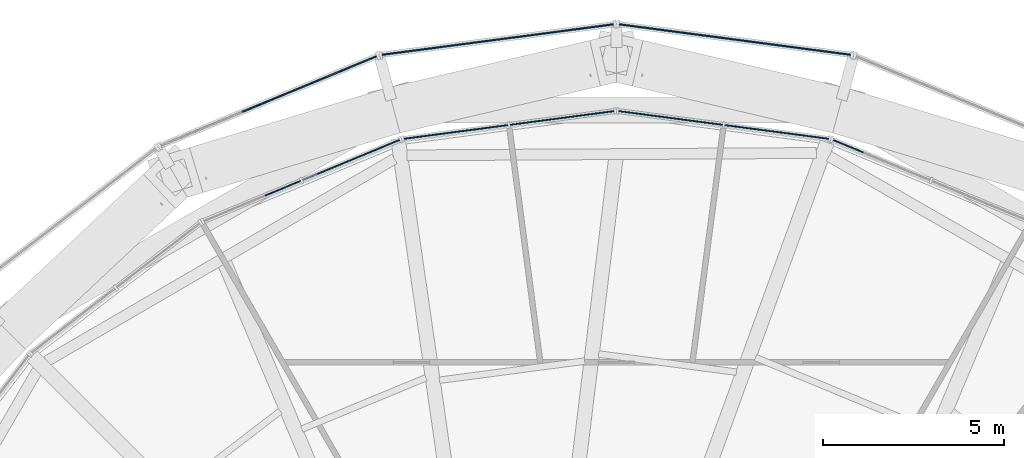
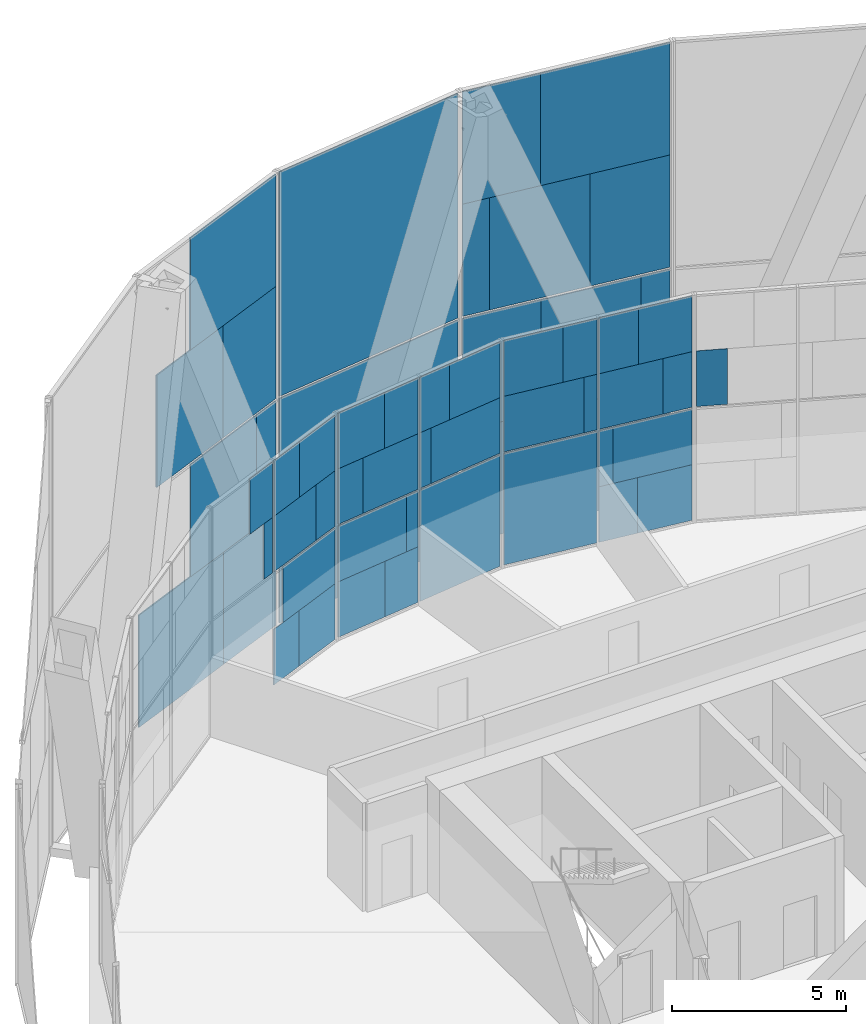
# One storey, part 17 of 22: 55 plates, 7 elements without a shape of their own.
"""IFC4 building model written with IfcOpenShell, lengths in metres."""

from ifc_helpers import new_model, si_unit, direction, frame, origin, origin_2d, place, context, subcontext, project, spatial, rectangle, extrude, material, layer, layer_set, type_object, element, aggregate, save


model = new_model("IFC4")

# Units and contexts
model_context = context("Model", 3, precision=1e-05, world=origin(), true_north=direction((0.0, 1.0)))
body_context = subcontext(model_context, "Body", "Model", "MODEL_VIEW")
ifc_project = project(units=[si_unit("LENGTHUNIT", "METRE"), si_unit("AREAUNIT", "SQUARE_METRE"), si_unit("VOLUMEUNIT", "CUBIC_METRE"), si_unit("PLANEANGLEUNIT", "RADIAN"), si_unit("MASSUNIT", "GRAM", prefix="KILO")], contexts=[model_context])

# Site, building, storey
site_placement = place(None, origin())
site = spatial("IfcSite", under=ifc_project, at=site_placement, CompositionType="ELEMENT")
building_placement = place(site_placement, origin())
building = spatial("IfcBuilding", under=site, at=building_placement, Name="Golbaran Civic Tower", CompositionType="ELEMENT")
storey_placement = place(building_placement, frame((0.0, 0.0, 37.0)))
storey = spatial("IfcBuildingStorey", under=building, at=storey_placement, Name="L08", CompositionType="ELEMENT", Elevation=37.0)

# Curtain wall, plate
ifc_material_1 = material(Name="Aluminium and glass", Category="aluminium")
curtain_wall_type_1 = type_object("IfcCurtainWallType", Name="INNER SKIN CURTAIN WALL", PredefinedType="NOTDEFINED", material=ifc_material_1)
curtain_wall_1_placement = place(storey_placement, origin())
curtain_wall_1 = element("IfcCurtainWall", 1, at=curtain_wall_1_placement, inside=storey, type_object=curtain_wall_type_1, Name="Inner skin L08 facet 5 CW1", ObjectType="INNER SKIN", PredefinedType="USERDEFINED")
ifc_material_2 = material(Name="Clear insulating glass", Category="glass")
ifc_layer_1 = layer(ifc_material_2, 0.031982421875, Name="Clear insulating glass")
ifc_layer_set_1 = layer_set([ifc_layer_1], Name="Clear insulating glass")
plate_type_1 = type_object("IfcPlateType", Name="INNER SKIN CURTAIN WALL GLAZED PANEL", PredefinedType="CURTAIN_PANEL", material=ifc_layer_set_1)
plate_1_placement = place(storey_placement, frame((6.418212890625, 21.981689453125, 4.032470703125), z_axis=(0.0, 0.0, 1.0), x_axis=(-0.923879532511, 0.382683432365, 0.0)))
plate_1 = element("IfcPlate", 2, at=plate_1_placement, type_object=plate_type_1, Name="CW1 panel 2.2 part 2", PredefinedType="CURTAIN_PANEL", context=body_context, shape_type="SweptSolid", body=[
    extrude(rectangle(XDim=0.8994140625, YDim=0.031982421875, at=origin_2d()), origin(), (0.0, 0.0, 1.0), 1.951171875),
])
aggregate(curtain_wall_1, [plate_1])

# Curtain wall, plates
curtain_wall_2_placement = place(storey_placement, origin())
curtain_wall_2 = element("IfcCurtainWall", 3, at=curtain_wall_2_placement, inside=storey, type_object=curtain_wall_type_1, Name="Inner skin L08 facet 6 CW1", ObjectType="INNER SKIN", PredefinedType="USERDEFINED")
plate_2_placement = place(storey_placement, frame((3.59814453125, 22.4873046875, 0.06494140625), z_axis=(0.0, 0.0, 1.0), x_axis=(-0.991444861365, 0.130526192289, 0.0)))
plate_2 = element("IfcPlate", 4, at=plate_2_placement, type_object=plate_type_1, Name="CW1 panel 1.1 part 2", PredefinedType="CURTAIN_PANEL", context=body_context, shape_type="SweptSolid", body=[
    extrude(rectangle(XDim=1.199462890625, YDim=0.031982421875, at=origin_2d()), origin(), (0.0, 0.0, 1.0), 1.951171875),
])
plate_3_placement = place(storey_placement, frame((3.218017578125, 22.537353515625, 2.016357421875), z_axis=(0.0, 0.0, 1.0), x_axis=(-0.991444861365, 0.130526192289, 0.0)))
plate_3 = element("IfcPlate", 5, at=plate_3_placement, type_object=plate_type_1, Name="CW1 panel 1.1 part 4", PredefinedType="CURTAIN_PANEL", context=body_context, shape_type="SweptSolid", body=[
    extrude(rectangle(XDim=0.4326171875, YDim=0.031982421875, at=origin_2d()), origin(), (0.0, 0.0, 1.0), 1.951171875),
])
plate_4_placement = place(storey_placement, frame((5.43212890625, 22.245849609375, 4.032470703125), z_axis=(0.0, 0.0, 1.0), x_axis=(-0.991444861365, 0.130526192289, 0.0)))
plate_4 = element("IfcPlate", 6, at=plate_4_placement, type_object=plate_type_1, Name="CW1 panel 1.2 part 1", PredefinedType="CURTAIN_PANEL", context=body_context, shape_type="SweptSolid", body=[
    extrude(rectangle(XDim=0.89990234375, YDim=0.031982421875, at=origin_2d()), origin(), (0.0, 0.0, 1.0), 1.951171875),
])
plate_5_placement = place(storey_placement, frame((5.0478515625, 22.29638671875, 5.98388671875), z_axis=(0.0, 0.0, 1.0), x_axis=(-0.991444861365, 0.130526192289, 0.0)))
plate_5 = element("IfcPlate", 7, at=plate_5_placement, type_object=plate_type_1, Name="CW1 panel 1.2 part 3", PredefinedType="CURTAIN_PANEL", context=body_context, shape_type="SweptSolid", body=[
    extrude(rectangle(XDim=1.675048828125, YDim=0.031982421875, at=origin_2d()), origin(), (0.0, 0.0, 1.0), 1.951171875),
])
plate_6_placement = place(storey_placement, frame((1.501708984375, 22.76318359375, 0.06494140625), z_axis=(0.0, 0.0, 1.0), x_axis=(-0.991444861365, 0.130526192289, 0.0)))
plate_6 = element("IfcPlate", 8, at=plate_6_placement, type_object=plate_type_1, Name="CW1 panel 2.1", PredefinedType="CURTAIN_PANEL", context=body_context, shape_type="SweptSolid", body=[
    extrude(rectangle(XDim=2.8994140625, YDim=0.031982421875, at=origin_2d()), origin(), (0.0, 0.0, 1.0), 3.902587890625),
])
plate_7_placement = place(storey_placement, frame((1.302978515625, 22.78955078125, 4.032470703125), z_axis=(0.0, 0.0, 1.0), x_axis=(-0.991444861365, 0.130526192289, 0.0)))
plate_7 = element("IfcPlate", 9, at=plate_7_placement, type_object=plate_type_1, Name="CW1 panel 2.2 part 2", PredefinedType="CURTAIN_PANEL", context=body_context, shape_type="SweptSolid", body=[
    extrude(rectangle(XDim=2.49853515625, YDim=0.031982421875, at=origin_2d()), origin(), (0.0, 0.0, 1.0), 1.951171875),
])
plate_8_placement = place(storey_placement, frame((0.974853515625, 22.832763671875, 5.98388671875), z_axis=(0.0, 0.0, 1.0), x_axis=(-0.991444861365, 0.130526192289, 0.0)))
plate_8 = element("IfcPlate", 10, at=plate_8_placement, type_object=plate_type_1, Name="CW1 panel 2.2 part 4", PredefinedType="CURTAIN_PANEL", context=body_context, shape_type="SweptSolid", body=[
    extrude(rectangle(XDim=1.83642578125, YDim=0.031982421875, at=origin_2d()), origin(), (0.0, 0.0, 1.0), 1.951171875),
])

curtain_wall_3_placement = place(storey_placement, origin())
curtain_wall_3 = element("IfcCurtainWall", 11, at=curtain_wall_3_placement, inside=storey, type_object=curtain_wall_type_1, Name="Inner skin L08 facet 7 CW1", ObjectType="INNER SKIN", PredefinedType="USERDEFINED")
plate_9_placement = place(storey_placement, frame((-1.501708984375, 22.76318359375, 0.06494140625), z_axis=(0.0, 0.0, 1.0), x_axis=(-0.991444861365, -0.130526192289, 0.0)))
plate_9 = element("IfcPlate", 12, at=plate_9_placement, type_object=plate_type_1, Name="CW1 panel 1.1", PredefinedType="CURTAIN_PANEL", context=body_context, shape_type="SweptSolid", body=[
    extrude(rectangle(XDim=2.8994140625, YDim=0.031982421875, at=origin_2d()), origin(), (0.0, 0.0, 1.0), 3.902587890625),
])
plate_10_placement = place(storey_placement, frame((-1.302734375, 22.78955078125, 4.032470703125), z_axis=(0.0, 0.0, 1.0), x_axis=(-0.991444861365, -0.130526192289, 0.0)))
plate_10 = element("IfcPlate", 13, at=plate_10_placement, type_object=plate_type_1, Name="CW1 panel 1.2 part 1", PredefinedType="CURTAIN_PANEL", context=body_context, shape_type="SweptSolid", body=[
    extrude(rectangle(XDim=2.498046875, YDim=0.031982421875, at=origin_2d()), origin(), (0.0, 0.0, 1.0), 1.951171875),
])
plate_11_placement = place(storey_placement, frame((-0.97509765625, 22.83251953125, 5.98388671875), z_axis=(0.0, 0.0, 1.0), x_axis=(-0.991444861365, -0.130526192289, 0.0)))
plate_11 = element("IfcPlate", 14, at=plate_11_placement, type_object=plate_type_1, Name="CW1 panel 1.2 part 3", PredefinedType="CURTAIN_PANEL", context=body_context, shape_type="SweptSolid", body=[
    extrude(rectangle(XDim=1.8369140625, YDim=0.031982421875, at=origin_2d()), origin(), (0.0, 0.0, 1.0), 1.951171875),
])
plate_12_placement = place(storey_placement, frame((-3.598388671875, 22.4873046875, 0.06494140625), z_axis=(0.0, 0.0, 1.0), x_axis=(-0.991444861365, -0.130526192289, 0.0)))
plate_12 = element("IfcPlate", 15, at=plate_12_placement, type_object=plate_type_1, Name="CW1 panel 2.1 part 1", PredefinedType="CURTAIN_PANEL", context=body_context, shape_type="SweptSolid", body=[
    extrude(rectangle(XDim=1.199951171875, YDim=0.031982421875, at=origin_2d()), origin(), (0.0, 0.0, 1.0), 1.951171875),
])
plate_13_placement = place(storey_placement, frame((-3.2177734375, 22.537353515625, 2.016357421875), z_axis=(0.0, 0.0, 1.0), x_axis=(-0.991444861365, -0.130526192289, 0.0)))
plate_13 = element("IfcPlate", 16, at=plate_13_placement, type_object=plate_type_1, Name="CW1 panel 2.1 part 3", PredefinedType="CURTAIN_PANEL", context=body_context, shape_type="SweptSolid", body=[
    extrude(rectangle(XDim=0.431884765625, YDim=0.031982421875, at=origin_2d()), origin(), (0.0, 0.0, 1.0), 1.951171875),
])
plate_14_placement = place(storey_placement, frame((-5.432373046875, 22.245849609375, 4.032470703125), z_axis=(0.0, 0.0, 1.0), x_axis=(-0.991444861365, -0.130526192289, 0.0)))
plate_14 = element("IfcPlate", 17, at=plate_14_placement, type_object=plate_type_1, Name="CW1 panel 2.2 part 2", PredefinedType="CURTAIN_PANEL", context=body_context, shape_type="SweptSolid", body=[
    extrude(rectangle(XDim=0.8994140625, YDim=0.031982421875, at=origin_2d()), origin(), (0.0, 0.0, 1.0), 1.951171875),
])
plate_15_placement = place(storey_placement, frame((-5.048095703125, 22.29638671875, 5.98388671875), z_axis=(0.0, 0.0, 1.0), x_axis=(-0.991444861365, -0.130526192289, 0.0)))
plate_15 = element("IfcPlate", 18, at=plate_15_placement, type_object=plate_type_1, Name="CW1 panel 2.2 part 4", PredefinedType="CURTAIN_PANEL", context=body_context, shape_type="SweptSolid", body=[
    extrude(rectangle(XDim=1.674560546875, YDim=0.031982421875, at=origin_2d()), origin(), (0.0, 0.0, 1.0), 1.951171875),
])

curtain_wall_4_placement = place(storey_placement, origin())
curtain_wall_4 = element("IfcCurtainWall", 19, at=curtain_wall_4_placement, inside=storey, type_object=curtain_wall_type_1, Name="Inner skin L08 facet 8 CW1", ObjectType="INNER SKIN", PredefinedType="USERDEFINED")
plate_16_placement = place(storey_placement, frame((-8.12744140625, 21.273681640625, 0.06494140625), z_axis=(0.0, 0.0, 1.0), x_axis=(-0.923879532511, -0.382683432365, 0.0)))
plate_16 = element("IfcPlate", 20, at=plate_16_placement, type_object=plate_type_1, Name="CW1 panel 1.1 part 2", PredefinedType="CURTAIN_PANEL", context=body_context, shape_type="SweptSolid", body=[
    extrude(rectangle(XDim=1.199462890625, YDim=0.031982421875, at=origin_2d()), origin(), (0.0, 0.0, 1.0), 1.951171875),
])
plate_17_placement = place(storey_placement, frame((-6.41845703125, 21.9814453125, 4.032470703125), z_axis=(0.0, 0.0, 1.0), x_axis=(-0.923879532511, -0.382683432365, 0.0)))
plate_17 = element("IfcPlate", 21, at=plate_17_placement, type_object=plate_type_1, Name="CW1 panel 1.2 part 1", PredefinedType="CURTAIN_PANEL", context=body_context, shape_type="SweptSolid", body=[
    extrude(rectangle(XDim=0.89990234375, YDim=0.031982421875, at=origin_2d()), origin(), (0.0, 0.0, 1.0), 1.951171875),
])
plate_18_placement = place(storey_placement, frame((-6.776611328125, 21.833251953125, 5.98388671875), z_axis=(0.0, 0.0, 1.0), x_axis=(-0.923879532511, -0.382683432365, 0.0)))
plate_18 = element("IfcPlate", 22, at=plate_18_placement, type_object=plate_type_1, Name="CW1 panel 1.2 part 3", PredefinedType="CURTAIN_PANEL", context=body_context, shape_type="SweptSolid", body=[
    extrude(rectangle(XDim=1.675048828125, YDim=0.031982421875, at=origin_2d()), origin(), (0.0, 0.0, 1.0), 1.951171875),
])

# Plate
ifc_material_3 = material(Name="Aluminium faced opaque infill panel", Category="aluminium")
ifc_layer_2 = layer(ifc_material_3, 0.031982421875, Name="Aluminium faced opaque infill panel")
ifc_layer_set_2 = layer_set([ifc_layer_2], Name="Aluminium faced opaque infill panel")
plate_type_2 = type_object("IfcPlateType", Name="INNER SKIN CURTAIN WALL OPAQUE INFILL PANEL", PredefinedType="CURTAIN_PANEL", material=ifc_layer_set_2)
plate_19_placement = place(storey_placement, frame((5.03564453125, 22.298095703125, 0.06494140625), z_axis=(0.0, 0.0, 1.0), x_axis=(-0.991444861365, 0.130526192289, 0.0)))
plate_19 = element("IfcPlate", 23, at=plate_19_placement, type_object=plate_type_2, Name="CW1 infill panel 1.1 part 1", PredefinedType="CURTAIN_PANEL", context=body_context, shape_type="SweptSolid", body=[
    extrude(rectangle(XDim=1.699951171875, YDim=0.031982421875, at=origin_2d()), origin(), (0.0, 0.0, 1.0), 1.951171875),
])

plate_20_placement = place(storey_placement, frame((4.6552734375, 22.34814453125, 2.016357421875), z_axis=(0.0, 0.0, 1.0), x_axis=(-0.991444861365, 0.130526192289, 0.0)))
plate_20 = element("IfcPlate", 24, at=plate_20_placement, type_object=plate_type_2, Name="CW1 infill panel 1.1 part 3", PredefinedType="CURTAIN_PANEL", context=body_context, shape_type="SweptSolid", body=[
    extrude(rectangle(XDim=2.467041015625, YDim=0.031982421875, at=origin_2d()), origin(), (0.0, 0.0, 1.0), 1.951171875),
])

plate_21_placement = place(storey_placement, frame((3.994873046875, 22.43505859375, 4.032470703125), z_axis=(0.0, 0.0, 1.0), x_axis=(-0.991444861365, 0.130526192289, 0.0)))
plate_21 = element("IfcPlate", 25, at=plate_21_placement, type_object=plate_type_2, Name="CW1 infill panel 1.2 part 2", PredefinedType="CURTAIN_PANEL", context=body_context, shape_type="SweptSolid", body=[
    extrude(rectangle(XDim=1.99951171875, YDim=0.031982421875, at=origin_2d()), origin(), (0.0, 0.0, 1.0), 1.951171875),
])

plate_22_placement = place(storey_placement, frame((3.610595703125, 22.485595703125, 5.98388671875), z_axis=(0.0, 0.0, 1.0), x_axis=(-0.991444861365, 0.130526192289, 0.0)))
plate_22 = element("IfcPlate", 26, at=plate_22_placement, type_object=plate_type_2, Name="CW1 infill panel 1.2 part 4", PredefinedType="CURTAIN_PANEL", context=body_context, shape_type="SweptSolid", body=[
    extrude(rectangle(XDim=1.224609375, YDim=0.031982421875, at=origin_2d()), origin(), (0.0, 0.0, 1.0), 1.951171875),
])

plate_23_placement = place(storey_placement, frame((2.740478515625, 22.600341796875, 4.032470703125), z_axis=(0.0, 0.0, 1.0), x_axis=(-0.991444861365, 0.130526192289, 0.0)))
plate_23 = element("IfcPlate", 27, at=plate_23_placement, type_object=plate_type_2, Name="CW1 infill panel 2.2 part 1", PredefinedType="CURTAIN_PANEL", context=body_context, shape_type="SweptSolid", body=[
    extrude(rectangle(XDim=0.40087890625, YDim=0.031982421875, at=origin_2d()), origin(), (0.0, 0.0, 1.0), 1.951171875),
])

plate_24_placement = place(storey_placement, frame((2.412109375, 22.643310546875, 5.98388671875), z_axis=(0.0, 0.0, 1.0), x_axis=(-0.991444861365, 0.130526192289, 0.0)))
plate_24 = element("IfcPlate", 28, at=plate_24_placement, type_object=plate_type_2, Name="CW1 infill panel 2.2 part 3", PredefinedType="CURTAIN_PANEL", context=body_context, shape_type="SweptSolid", body=[
    extrude(rectangle(XDim=1.06298828125, YDim=0.031982421875, at=origin_2d()), origin(), (0.0, 0.0, 1.0), 1.951171875),
])

aggregate(curtain_wall_2, [plate_19, plate_2, plate_20, plate_3, plate_4, plate_21, plate_5, plate_22, plate_6, plate_23, plate_7, plate_24, plate_8])

plate_25_placement = place(storey_placement, frame((-2.739990234375, 22.600341796875, 4.032470703125), z_axis=(0.0, 0.0, 1.0), x_axis=(-0.991444861365, -0.130526192289, 0.0)))
plate_25 = element("IfcPlate", 29, at=plate_25_placement, type_object=plate_type_2, Name="CW1 infill panel 1.2 part 2", PredefinedType="CURTAIN_PANEL", context=body_context, shape_type="SweptSolid", body=[
    extrude(rectangle(XDim=0.401611328125, YDim=0.031982421875, at=origin_2d()), origin(), (0.0, 0.0, 1.0), 1.951171875),
])

plate_26_placement = place(storey_placement, frame((-2.412353515625, 22.643310546875, 5.98388671875), z_axis=(0.0, 0.0, 1.0), x_axis=(-0.991444861365, -0.130526192289, 0.0)))
plate_26 = element("IfcPlate", 30, at=plate_26_placement, type_object=plate_type_2, Name="CW1 infill panel 1.2 part 4", PredefinedType="CURTAIN_PANEL", context=body_context, shape_type="SweptSolid", body=[
    extrude(rectangle(XDim=1.0625, YDim=0.031982421875, at=origin_2d()), origin(), (0.0, 0.0, 1.0), 1.951171875),
])

plate_27_placement = place(storey_placement, frame((-5.035888671875, 22.298095703125, 0.06494140625), z_axis=(0.0, 0.0, 1.0), x_axis=(-0.991444861365, -0.130526192289, 0.0)))
plate_27 = element("IfcPlate", 31, at=plate_27_placement, type_object=plate_type_2, Name="CW1 infill panel 2.1 part 2", PredefinedType="CURTAIN_PANEL", context=body_context, shape_type="SweptSolid", body=[
    extrude(rectangle(XDim=1.699462890625, YDim=0.031982421875, at=origin_2d()), origin(), (0.0, 0.0, 1.0), 1.951171875),
])

plate_28_placement = place(storey_placement, frame((-4.655029296875, 22.34814453125, 2.016357421875), z_axis=(0.0, 0.0, 1.0), x_axis=(-0.991444861365, -0.130526192289, 0.0)))
plate_28 = element("IfcPlate", 32, at=plate_28_placement, type_object=plate_type_2, Name="CW1 infill panel 2.1 part 4", PredefinedType="CURTAIN_PANEL", context=body_context, shape_type="SweptSolid", body=[
    extrude(rectangle(XDim=2.467529296875, YDim=0.031982421875, at=origin_2d()), origin(), (0.0, 0.0, 1.0), 1.951171875),
])

plate_29_placement = place(storey_placement, frame((-3.9951171875, 22.43505859375, 4.032470703125), z_axis=(0.0, 0.0, 1.0), x_axis=(-0.991444861365, -0.130526192289, 0.0)))
plate_29 = element("IfcPlate", 33, at=plate_29_placement, type_object=plate_type_2, Name="CW1 infill panel 2.2 part 1", PredefinedType="CURTAIN_PANEL", context=body_context, shape_type="SweptSolid", body=[
    extrude(rectangle(XDim=2.0, YDim=0.031982421875, at=origin_2d()), origin(), (0.0, 0.0, 1.0), 1.951171875),
])

plate_30_placement = place(storey_placement, frame((-3.61083984375, 22.485595703125, 5.98388671875), z_axis=(0.0, 0.0, 1.0), x_axis=(-0.991444861365, -0.130526192289, 0.0)))
plate_30 = element("IfcPlate", 34, at=plate_30_placement, type_object=plate_type_2, Name="CW1 infill panel 2.2 part 3", PredefinedType="CURTAIN_PANEL", context=body_context, shape_type="SweptSolid", body=[
    extrude(rectangle(XDim=1.22509765625, YDim=0.031982421875, at=origin_2d()), origin(), (0.0, 0.0, 1.0), 1.951171875),
])

aggregate(curtain_wall_3, [plate_9, plate_10, plate_25, plate_11, plate_26, plate_12, plate_27, plate_13, plate_28, plate_29, plate_14, plate_30, plate_15])

plate_31_placement = place(storey_placement, frame((-6.7880859375, 21.828369140625, 0.06494140625), z_axis=(0.0, 0.0, 1.0), x_axis=(-0.923879532511, -0.382683432365, 0.0)))
plate_31 = element("IfcPlate", 35, at=plate_31_placement, type_object=plate_type_2, Name="CW1 infill panel 1.1 part 1", PredefinedType="CURTAIN_PANEL", context=body_context, shape_type="SweptSolid", body=[
    extrude(rectangle(XDim=1.699951171875, YDim=0.031982421875, at=origin_2d()), origin(), (0.0, 0.0, 1.0), 1.951171875),
])

plate_32_placement = place(storey_placement, frame((-7.142333984375, 21.681640625, 2.016357421875), z_axis=(0.0, 0.0, 1.0), x_axis=(-0.923879532511, -0.382683432365, 0.0)))
plate_32 = element("IfcPlate", 36, at=plate_32_placement, type_object=plate_type_2, Name="CW1 infill panel 1.1 part 3", PredefinedType="CURTAIN_PANEL", context=body_context, shape_type="SweptSolid", body=[
    extrude(rectangle(XDim=2.467041015625, YDim=0.031982421875, at=origin_2d()), origin(), (0.0, 0.0, 1.0), 1.951171875),
])

plate_33_placement = place(storey_placement, frame((-7.758056640625, 21.4267578125, 4.032470703125), z_axis=(0.0, 0.0, 1.0), x_axis=(-0.923879532511, -0.382683432365, 0.0)))
plate_33 = element("IfcPlate", 37, at=plate_33_placement, type_object=plate_type_2, Name="CW1 infill panel 1.2 part 2", PredefinedType="CURTAIN_PANEL", context=body_context, shape_type="SweptSolid", body=[
    extrude(rectangle(XDim=1.99951171875, YDim=0.031982421875, at=origin_2d()), origin(), (0.0, 0.0, 1.0), 1.951171875),
])

plate_34_placement = place(storey_placement, frame((-8.115966796875, 21.278564453125, 5.98388671875), z_axis=(0.0, 0.0, 1.0), x_axis=(-0.923879532511, -0.382683432365, 0.0)))
plate_34 = element("IfcPlate", 38, at=plate_34_placement, type_object=plate_type_2, Name="CW1 infill panel 1.2 part 4", PredefinedType="CURTAIN_PANEL", context=body_context, shape_type="SweptSolid", body=[
    extrude(rectangle(XDim=1.224609375, YDim=0.031982421875, at=origin_2d()), origin(), (0.0, 0.0, 1.0), 1.951171875),
])

plate_35_placement = place(storey_placement, frame((-8.927001953125, 20.942626953125, 4.032470703125), z_axis=(0.0, 0.0, 1.0), x_axis=(-0.923879532511, -0.382683432365, 0.0)))
plate_35 = element("IfcPlate", 39, at=plate_35_placement, type_object=plate_type_2, Name="CW1 infill panel 2.2 part 1", PredefinedType="CURTAIN_PANEL", context=body_context, shape_type="SweptSolid", body=[
    extrude(rectangle(XDim=0.40087890625, YDim=0.031982421875, at=origin_2d()), origin(), (0.0, 0.0, 1.0), 1.951171875),
])

plate_36_placement = place(storey_placement, frame((-9.232666015625, 20.81591796875, 5.98388671875), z_axis=(0.0, 0.0, 1.0), x_axis=(-0.923879532511, -0.382683432365, 0.0)))
plate_36 = element("IfcPlate", 40, at=plate_36_placement, type_object=plate_type_2, Name="CW1 infill panel 2.2 part 3", PredefinedType="CURTAIN_PANEL", context=body_context, shape_type="SweptSolid", body=[
    extrude(rectangle(XDim=1.06298828125, YDim=0.031982421875, at=origin_2d()), origin(), (0.0, 0.0, 1.0), 1.951171875),
])

aggregate(curtain_wall_4, [plate_31, plate_16, plate_32, plate_17, plate_33, plate_18, plate_34, plate_35, plate_36])

# Curtain wall, plates
curtain_wall_type_2 = type_object("IfcCurtainWallType", Name="OUTER SKIN TERRACOTTA SCREEN", PredefinedType="NOTDEFINED", material=ifc_material_1)
curtain_wall_5_placement = place(storey_placement, origin())
curtain_wall_5 = element("IfcCurtainWall", 41, at=curtain_wall_5_placement, inside=storey, type_object=curtain_wall_type_2, Name="Outer skin L08 facet 6 CW3", ObjectType="OUTER SKIN", PredefinedType="USERDEFINED")
ifc_material_4 = material(Name="Clear laminated glass", Category="glass")
ifc_layer_3 = layer(ifc_material_4, 0.0400390625, Name="Clear laminated glass")
ifc_layer_set_3 = layer_set([ifc_layer_3], Name="Clear laminated glass")
plate_type_3 = type_object("IfcPlateType", Name="OUTER SKIN CLEAR GLASS PANEL", PredefinedType="CURTAIN_PANEL", material=ifc_layer_set_3)
plate_37_placement = place(storey_placement, frame((2.063720703125, 25.09423828125, -0.6298828125), z_axis=(0.0, 0.0, 1.0), x_axis=(-0.991444861381, 0.130526192168, 0.0)))
plate_37 = element("IfcPlate", 42, at=plate_37_placement, type_object=plate_type_3, Name="CW3 panel 1.1 part 2", PredefinedType="CURTAIN_PANEL", context=body_context, shape_type="SweptSolid", body=[
    extrude(rectangle(XDim=4.0029296875, YDim=0.0400390625, at=origin_2d()), origin(), (0.0, 0.0, 1.0), 3.93994140625),
])
plate_38_placement = place(storey_placement, frame((6.036376953125, 24.5712890625, 3.31005859375), z_axis=(0.0, 0.0, 1.0), x_axis=(-0.991444861381, 0.130526192168, 0.0)))
plate_38 = element("IfcPlate", 43, at=plate_38_placement, type_object=plate_type_3, Name="CW3 panel 1.1 part 3", PredefinedType="CURTAIN_PANEL", context=body_context, shape_type="SweptSolid", body=[
    extrude(rectangle(XDim=0.906982421875, YDim=0.0400390625, at=origin_2d()), origin(), (0.0, 0.0, 1.0), 3.93994140625),
])
plate_39_placement = place(storey_placement, frame((1.288330078125, 25.1962890625, 3.31005859375), z_axis=(0.0, 0.0, 1.0), x_axis=(-0.991444861381, 0.130526192168, 0.0)))
plate_39 = element("IfcPlate", 44, at=plate_39_placement, type_object=plate_type_3, Name="CW3 panel 1.1 part 5", PredefinedType="CURTAIN_PANEL", context=body_context, shape_type="SweptSolid", body=[
    extrude(rectangle(XDim=2.43896484375, YDim=0.0400390625, at=origin_2d()), origin(), (0.0, 0.0, 1.0), 3.93994140625),
])
plate_40_placement = place(storey_placement, frame((5.25244140625, 24.674560546875, 7.330078125), z_axis=(0.0, 0.0, 1.0), x_axis=(-0.991444861381, 0.130526192168, 0.0)))
plate_40 = element("IfcPlate", 45, at=plate_40_placement, type_object=plate_type_3, Name="CW3 panel 1.2 part 1", PredefinedType="CURTAIN_PANEL", context=body_context, shape_type="SweptSolid", body=[
    extrude(rectangle(XDim=2.488037109375, YDim=0.0400390625, at=origin_2d()), origin(), (0.0, 0.0, 1.0), 3.93994140625),
])
plate_41_placement = place(storey_placement, frame((0.49658203125, 25.300537109375, 7.330078125), z_axis=(0.0, 0.0, 1.0), x_axis=(-0.991444861381, 0.130526192168, 0.0)))
plate_41 = element("IfcPlate", 46, at=plate_41_placement, type_object=plate_type_3, Name="CW3 panel 1.2 part 3", PredefinedType="CURTAIN_PANEL", context=body_context, shape_type="SweptSolid", body=[
    extrude(rectangle(XDim=0.841796875, YDim=0.0400390625, at=origin_2d()), origin(), (0.0, 0.0, 1.0), 3.93994140625),
])
plate_42_placement = place(storey_placement, frame((4.484619140625, 24.775634765625, 11.27001953125), z_axis=(0.0, 0.0, 1.0), x_axis=(-0.991444861381, 0.130526192168, 0.0)))
plate_42 = element("IfcPlate", 47, at=plate_42_placement, type_object=plate_type_3, Name="CW3 panel 1.2 part 4", PredefinedType="CURTAIN_PANEL", context=body_context, shape_type="SweptSolid", body=[
    extrude(rectangle(XDim=4.037109375, YDim=0.0400390625, at=origin_2d()), origin(), (0.0, 0.0, 1.0), 3.93994140625),
])

curtain_wall_6_placement = place(storey_placement, origin())
curtain_wall_6 = element("IfcCurtainWall", 48, at=curtain_wall_6_placement, inside=storey, type_object=curtain_wall_type_2, Name="Outer skin L08 facet 8 CW3", ObjectType="OUTER SKIN", PredefinedType="USERDEFINED")
plate_43_placement = place(storey_placement, frame((-10.760009765625, 22.76416015625, -0.6298828125), z_axis=(0.0, 0.0, 1.0), x_axis=(-0.923879532471, -0.382683432462, 0.0)))
plate_43 = element("IfcPlate", 49, at=plate_43_placement, type_object=plate_type_3, Name="CW3 panel 1.1 part 2", PredefinedType="CURTAIN_PANEL", context=body_context, shape_type="SweptSolid", body=[
    extrude(rectangle(XDim=4.0029296875, YDim=0.0400390625, at=origin_2d()), origin(), (0.0, 0.0, 1.0), 3.93994140625),
])
plate_44_placement = place(storey_placement, frame((-7.05810546875, 24.297607421875, 3.31005859375), z_axis=(0.0, 0.0, 1.0), x_axis=(-0.923879532471, -0.382683432462, 0.0)))
plate_44 = element("IfcPlate", 50, at=plate_44_placement, type_object=plate_type_3, Name="CW3 panel 1.1 part 3", PredefinedType="CURTAIN_PANEL", context=body_context, shape_type="SweptSolid", body=[
    extrude(rectangle(XDim=0.906982421875, YDim=0.0400390625, at=origin_2d()), origin(), (0.0, 0.0, 1.0), 3.93994140625),
])
plate_45_placement = place(storey_placement, frame((-7.788330078125, 23.9951171875, 7.330078125), z_axis=(0.0, 0.0, 1.0), x_axis=(-0.923879532471, -0.382683432462, 0.0)))
plate_45 = element("IfcPlate", 51, at=plate_45_placement, type_object=plate_type_3, Name="CW3 panel 1.2 part 1", PredefinedType="CURTAIN_PANEL", context=body_context, shape_type="SweptSolid", body=[
    extrude(rectangle(XDim=2.488037109375, YDim=0.0400390625, at=origin_2d()), origin(), (0.0, 0.0, 1.0), 3.93994140625),
])
plate_46_placement = place(storey_placement, frame((-8.50390625, 23.69873046875, 11.27001953125), z_axis=(0.0, 0.0, 1.0), x_axis=(-0.923879532471, -0.382683432462, 0.0)))
plate_46 = element("IfcPlate", 52, at=plate_46_placement, type_object=plate_type_3, Name="CW3 panel 1.2 part 4", PredefinedType="CURTAIN_PANEL", context=body_context, shape_type="SweptSolid", body=[
    extrude(rectangle(XDim=4.037109375, YDim=0.0400390625, at=origin_2d()), origin(), (0.0, 0.0, 1.0), 3.93994140625),
])

# Plate
ifc_material_5 = material(Name="Terracotta baguette screen", Category="masonry")
ifc_layer_4 = layer(ifc_material_5, 0.0400390625, Name="Terracotta baguette screen")
ifc_layer_set_4 = layer_set([ifc_layer_4], Name="Terracotta baguette screen")
plate_type_4 = type_object("IfcPlateType", Name="OUTER SKIN TERRACOTTA INFILL PANEL", PredefinedType="CURTAIN_PANEL", material=ifc_layer_set_4)
plate_47_placement = place(storey_placement, frame((5.266845703125, 24.672607421875, -0.6298828125), z_axis=(0.0, 0.0, 1.0), x_axis=(-0.991444861381, 0.130526192168, 0.0)))
plate_47 = element("IfcPlate", 53, at=plate_47_placement, type_object=plate_type_4, Name="CW3 infill panel 1.1 part 1", PredefinedType="CURTAIN_PANEL", context=body_context, shape_type="SweptSolid", body=[
    extrude(rectangle(XDim=2.458984375, YDim=0.0400390625, at=origin_2d()), origin(), (0.0, 0.0, 1.0), 3.93994140625),
])

plate_48_placement = place(storey_placement, frame((4.0419921875, 24.833984375, 3.31005859375), z_axis=(0.0, 0.0, 1.0), x_axis=(-0.991444861381, 0.130526192168, 0.0)))
plate_48 = element("IfcPlate", 54, at=plate_48_placement, type_object=plate_type_4, Name="CW3 infill panel 1.1 part 4", PredefinedType="CURTAIN_PANEL", context=body_context, shape_type="SweptSolid", body=[
    extrude(rectangle(XDim=3.115966796875, YDim=0.0400390625, at=origin_2d()), origin(), (0.0, 0.0, 1.0), 3.93994140625),
])

plate_49_placement = place(storey_placement, frame((2.466552734375, 25.041259765625, 7.330078125), z_axis=(0.0, 0.0, 1.0), x_axis=(-0.991444861381, 0.130526192168, 0.0)))
plate_49 = element("IfcPlate", 55, at=plate_49_placement, type_object=plate_type_4, Name="CW3 infill panel 1.2 part 2", PredefinedType="CURTAIN_PANEL", context=body_context, shape_type="SweptSolid", body=[
    extrude(rectangle(XDim=3.132080078125, YDim=0.0400390625, at=origin_2d()), origin(), (0.0, 0.0, 1.0), 3.93994140625),
])

plate_50_placement = place(storey_placement, frame((1.28125, 25.197265625, 11.27001953125), z_axis=(0.0, 0.0, 1.0), x_axis=(-0.991444861381, 0.130526192168, 0.0)))
plate_50 = element("IfcPlate", 56, at=plate_50_placement, type_object=plate_type_4, Name="CW3 infill panel 1.2 part 5", PredefinedType="CURTAIN_PANEL", context=body_context, shape_type="SweptSolid", body=[
    extrude(rectangle(XDim=2.4248046875, YDim=0.0400390625, at=origin_2d()), origin(), (0.0, 0.0, 1.0), 3.93994140625),
])

aggregate(curtain_wall_5, [plate_47, plate_37, plate_38, plate_48, plate_39, plate_40, plate_49, plate_41, plate_42, plate_50])

plate_51_placement = place(storey_placement, frame((-7.77490234375, 24.00048828125, -0.6298828125), z_axis=(0.0, 0.0, 1.0), x_axis=(-0.923879532471, -0.382683432462, 0.0)))
plate_51 = element("IfcPlate", 57, at=plate_51_placement, type_object=plate_type_4, Name="CW3 infill panel 1.1 part 1", PredefinedType="CURTAIN_PANEL", context=body_context, shape_type="SweptSolid", body=[
    extrude(rectangle(XDim=2.458984375, YDim=0.0400390625, at=origin_2d()), origin(), (0.0, 0.0, 1.0), 3.93994140625),
])

plate_52_placement = place(storey_placement, frame((-8.91650390625, 23.52783203125, 3.31005859375), z_axis=(0.0, 0.0, 1.0), x_axis=(-0.923879532471, -0.382683432462, 0.0)))
plate_52 = element("IfcPlate", 58, at=plate_52_placement, type_object=plate_type_4, Name="CW3 infill panel 1.1 part 4", PredefinedType="CURTAIN_PANEL", context=body_context, shape_type="SweptSolid", body=[
    extrude(rectangle(XDim=3.115966796875, YDim=0.0400390625, at=origin_2d()), origin(), (0.0, 0.0, 1.0), 3.93994140625),
])

plate_53_placement = place(storey_placement, frame((-10.384521484375, 22.919677734375, 7.330078125), z_axis=(0.0, 0.0, 1.0), x_axis=(-0.923879532471, -0.382683432462, 0.0)))
plate_53 = element("IfcPlate", 59, at=plate_53_placement, type_object=plate_type_4, Name="CW3 infill panel 1.2 part 2", PredefinedType="CURTAIN_PANEL", context=body_context, shape_type="SweptSolid", body=[
    extrude(rectangle(XDim=3.132080078125, YDim=0.0400390625, at=origin_2d()), origin(), (0.0, 0.0, 1.0), 3.93994140625),
])

aggregate(curtain_wall_6, [plate_51, plate_43, plate_44, plate_52, plate_45, plate_53, plate_46])

# Curtain wall, plates
curtain_wall_7_placement = place(storey_placement, origin())
curtain_wall_7 = element("IfcCurtainWall", 60, at=curtain_wall_7_placement, inside=storey, type_object=curtain_wall_type_2, Name="Outer skin L08 facet 7 CW3", ObjectType="OUTER SKIN", PredefinedType="USERDEFINED")
ifc_layer_5 = layer(ifc_material_5, 0.0400390625, Name="Terracotta baguette screen")
ifc_layer_set_5 = layer_set([ifc_layer_5], Name="Terracotta baguette screen")
plate_type_5 = type_object("IfcPlateType", Name="OUTER SKIN TERRACOTTA SCREEN PANEL", PredefinedType="CURTAIN_PANEL", material=ifc_layer_set_5)
plate_54_placement = place(storey_placement, frame((-3.28271484375, 24.933837890625, -0.6298828125), z_axis=(0.0, 0.0, 1.0), x_axis=(-0.991444861381, -0.130526192168, 0.0)))
plate_54 = element("IfcPlate", 61, at=plate_54_placement, type_object=plate_type_5, Name="CW3 terracotta screen panel 1.1", PredefinedType="CURTAIN_PANEL", context=body_context, shape_type="SweptSolid", body=[
    extrude(rectangle(XDim=6.4619140625, YDim=0.0400390625, at=origin_2d()), origin(), (0.0, 0.0, 1.0), 7.8798828125),
])
plate_55_placement = place(storey_placement, frame((-3.28271484375, 24.933837890625, 7.330078125), z_axis=(0.0, 0.0, 1.0), x_axis=(-0.991444861381, -0.130526192168, 0.0)))
plate_55 = element("IfcPlate", 62, at=plate_55_placement, type_object=plate_type_5, Name="CW3 terracotta screen panel 1.2", PredefinedType="CURTAIN_PANEL", context=body_context, shape_type="SweptSolid", body=[
    extrude(rectangle(XDim=6.4619140625, YDim=0.0400390625, at=origin_2d()), origin(), (0.0, 0.0, 1.0), 7.8798828125),
])
aggregate(curtain_wall_7, [plate_54, plate_55])

save(model, "model.ifc")
